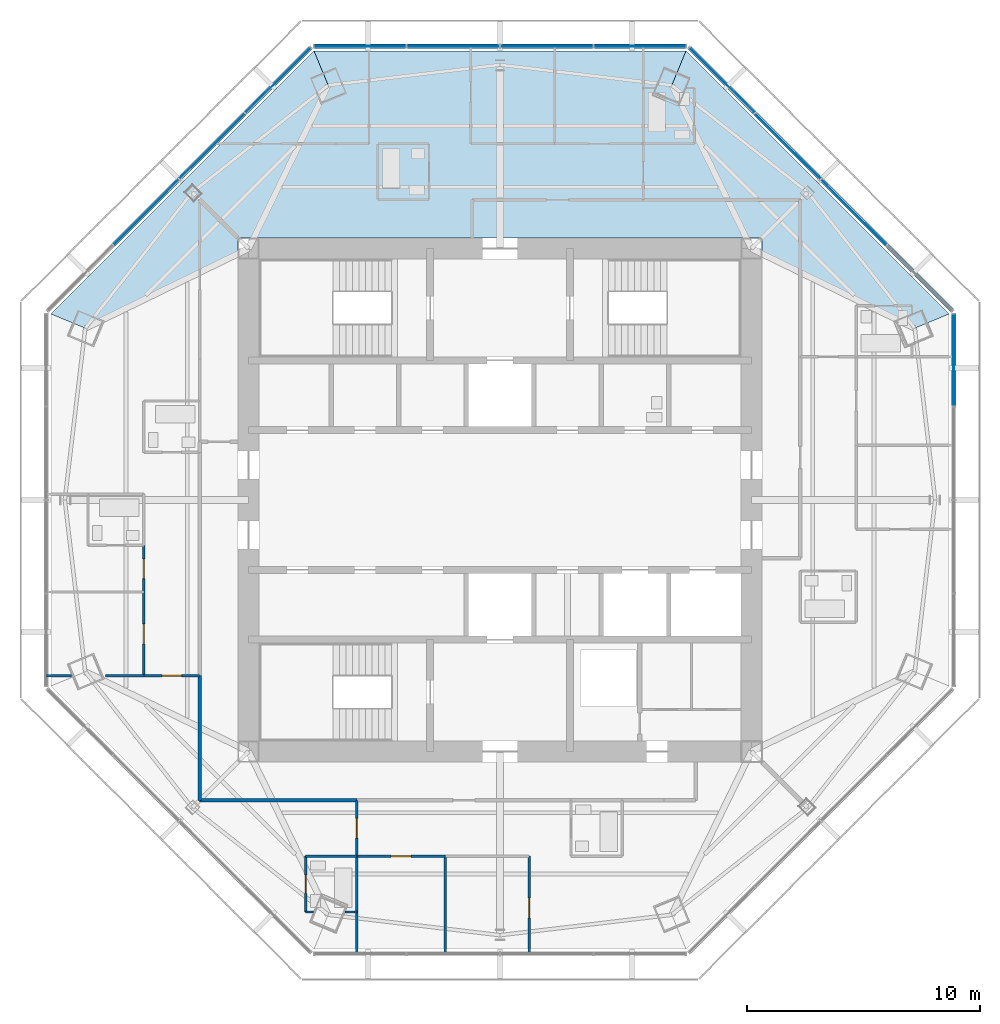
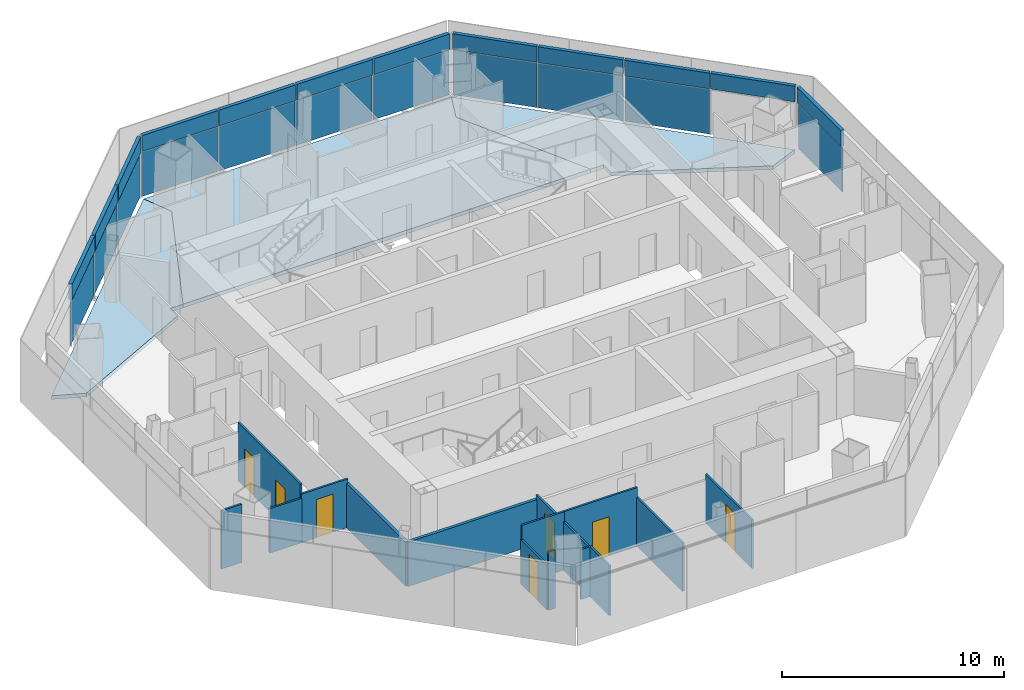
# One storey, part 8 of 15: 23 plates, 16 walls, 7 doors, 3 slabs, 7 openings, 4 elements without a shape of their own.
"""IFC4 building model written with IfcOpenShell, lengths in metres."""

from ifc_helpers import new_model, si_unit, direction, frame, frame_2d, origin, origin_2d, place, context, subcontext, project, spatial, polyline, rectangle, outline, extrude, source, transform, mapped, material, layer, layer_set, type_object, type_shapes, element, fill, aggregate, save


model = new_model("IFC4")

# Units and contexts
model_context = context("Model", 3, precision=1e-05, world=origin(), true_north=direction((0.0, 1.0)))
body_context = subcontext(model_context, "Body", "Model", "MODEL_VIEW")
ifc_project = project(units=[si_unit("LENGTHUNIT", "METRE"), si_unit("AREAUNIT", "SQUARE_METRE"), si_unit("VOLUMEUNIT", "CUBIC_METRE"), si_unit("PLANEANGLEUNIT", "RADIAN"), si_unit("MASSUNIT", "GRAM", prefix="KILO")], contexts=[model_context])

# Site, building, storey
site_placement = place(None, origin())
site = spatial("IfcSite", under=ifc_project, at=site_placement, CompositionType="ELEMENT")
building_placement = place(site_placement, origin())
building = spatial("IfcBuilding", under=site, at=building_placement, Name="Mashrafa Tower", CompositionType="ELEMENT")
storey_placement = place(building_placement, frame((0.0, 0.0, 301.39990234375)))
storey = spatial("IfcBuildingStorey", under=building, at=storey_placement, Name="L74", CompositionType="ELEMENT", Elevation=301.39990234375)

# Slabs
ifc_material_1 = material(Name="Concrete C35/45", Category="concrete")
ifc_layer_1 = layer(ifc_material_1, 0.199951171875)
ifc_layer_set_1 = layer_set([ifc_layer_1], Name="Floor slab 200")
slab_type = type_object("IfcSlabType", Name="Floor slab 200", PredefinedType="FLOOR", material=ifc_layer_set_1)
slab_1_placement = place(storey_placement, frame((0.0, 0.0, -0.199951171875)))
element("IfcSlab", 1, at=slab_1_placement, inside=storey, type_object=slab_type, Name="Floor slab L74 north-east bay", PredefinedType="FLOOR", context=body_context, shape_type="SweptSolid", body=[
    extrude(outline(polyline([(7.989501953125, 19.28857421875), (19.28857421875, 7.989501953125), (19.28857421875, 7.989501953125), (17.81591796875, 7.379638671875), (11.25, 10.58056640625), (11.25, 11.25), (10.58056640625, 11.25), (7.379638671875, 17.81591796875), (7.989501953125, 19.28857421875), (7.989501953125, 19.28857421875)])), origin(), (0.0, 0.0, 1.0), 0.199951171875),
])
slab_2_placement = place(storey_placement, frame((0.0, 0.0, -0.199951171875)))
element("IfcSlab", 2, at=slab_2_placement, inside=storey, type_object=slab_type, Name="Floor slab L74 north bay", PredefinedType="FLOOR", context=body_context, shape_type="SweptSolid", body=[
    extrude(outline(polyline([(7.989501953125, 19.28857421875), (7.379638671875, 17.81591796875), (10.58056640625, 11.25), (-10.58056640625, 11.25), (-7.379638671875, 17.81591796875), (-7.989501953125, 19.28857421875), (7.989501953125, 19.28857421875)])), origin(), (0.0, 0.0, 1.0), 0.199951171875),
])
slab_3_placement = place(storey_placement, frame((0.0, 0.0, -0.199951171875)))
element("IfcSlab", 3, at=slab_3_placement, inside=storey, type_object=slab_type, Name="Floor slab L74 north-west bay", PredefinedType="FLOOR", context=body_context, shape_type="SweptSolid", body=[
    extrude(outline(polyline([(-19.28857421875, 7.989501953125), (-7.989501953125, 19.28857421875), (-7.989501953125, 19.28857421875), (-7.379638671875, 17.81591796875), (-10.58056640625, 11.25), (-11.25, 11.25), (-11.25, 10.58056640625), (-17.81591796875, 7.379638671875), (-19.28857421875, 7.989501953125), (-19.28857421875, 7.989501953125)])), origin(), (0.0, 0.0, 1.0), 0.199951171875),
])

# Curtain wall, plate
ifc_material_2 = material(Name="Unitised aluminium curtain wall", Category="aluminium")
curtain_wall_type = type_object("IfcCurtainWallType", Name="Apartment curtain wall, zone 4 CW-D 160 deep", PredefinedType="NOTDEFINED", material=ifc_material_2)
curtain_wall_1_placement = place(storey_placement, origin())
curtain_wall_1 = element("IfcCurtainWall", 4, at=curtain_wall_1_placement, inside=storey, type_object=curtain_wall_type, Name="Apartment curtain wall, zone 4 L74 east", PredefinedType="NOTDEFINED")
ifc_material_3 = material(Name="Insulated double glazing, acoustic", Category="glass")
ifc_layer_2 = layer(ifc_material_3, 0.028076171875)
ifc_layer_set_2 = layer_set([ifc_layer_2], Name="Vision panel CW-D 28")
plate_type_1 = type_object("IfcPlateType", Name="Vision panel CW-D 28", PredefinedType="CURTAIN_PANEL", material=ifc_layer_set_2)
shared_shape_1 = source(origin(), body_context, "Body", "SweptSolid", [
    extrude(rectangle(XDim=3.924560546875, YDim=0.028076171875, at=origin_2d()), origin(), (0.0, 0.0, 1.0), 2.46240234375),
])
plate_1_placement = place(storey_placement, frame((19.488525390625, 6.007080078125, 0.000244140625), z_axis=(0.0, 0.0, 1.0), x_axis=(0.0, 1.0, 0.0)))
plate_1 = element("IfcPlate", 5, at=plate_1_placement, type_object=plate_type_1, Name="CW-D vision panel 4", PredefinedType="CURTAIN_PANEL", context=body_context, shape_type="MappedRepresentation", body=[
    mapped(shared_shape_1, transform((0.0, 0.0, 0.0))),
])

curtain_wall_2_placement = place(storey_placement, origin())
curtain_wall_2 = element("IfcCurtainWall", 6, at=curtain_wall_2_placement, inside=storey, type_object=curtain_wall_type, Name="Apartment curtain wall, zone 4 L74 north-east", PredefinedType="NOTDEFINED")
plate_2_placement = place(storey_placement, frame((9.532958984375, 18.028076171875, 0.000244140625), z_axis=(0.0, 0.0, 1.0), x_axis=(-0.707106781187, 0.707106781187, 0.0)))
plate_2 = element("IfcPlate", 7, at=plate_2_placement, type_object=plate_type_1, Name="CW-D vision panel 4", PredefinedType="CURTAIN_PANEL", context=body_context, shape_type="MappedRepresentation", body=[
    mapped(shared_shape_1, transform((0.0, 0.0, 0.0))),
])

# Curtain wall, plates
curtain_wall_3_placement = place(storey_placement, origin())
curtain_wall_3 = element("IfcCurtainWall", 8, at=curtain_wall_3_placement, inside=storey, type_object=curtain_wall_type, Name="Apartment curtain wall, zone 4 L74 north", PredefinedType="NOTDEFINED")
plate_3_placement = place(storey_placement, frame((6.007080078125, 19.488525390625, 0.000244140625), z_axis=(0.0, 0.0, 1.0), x_axis=(-1.0, 0.0, 0.0)))
plate_3 = element("IfcPlate", 9, at=plate_3_placement, type_object=plate_type_1, Name="CW-D vision panel 1", PredefinedType="CURTAIN_PANEL", context=body_context, shape_type="MappedRepresentation", body=[
    mapped(shared_shape_1, transform((0.0, 0.0, 0.0))),
])
plate_4_placement = place(storey_placement, frame((-6.007080078125, 19.488525390625, 0.000244140625), z_axis=(0.0, 0.0, 1.0), x_axis=(-1.0, 0.0, 0.0)))
plate_4 = element("IfcPlate", 10, at=plate_4_placement, type_object=plate_type_1, Name="CW-D vision panel 4", PredefinedType="CURTAIN_PANEL", context=body_context, shape_type="MappedRepresentation", body=[
    mapped(shared_shape_1, transform((0.0, 0.0, 0.0))),
])

# Curtain wall, plate
curtain_wall_4_placement = place(storey_placement, origin())
curtain_wall_4 = element("IfcCurtainWall", 11, at=curtain_wall_4_placement, inside=storey, type_object=curtain_wall_type, Name="Apartment curtain wall, zone 4 L74 north-west", PredefinedType="NOTDEFINED")
plate_5_placement = place(storey_placement, frame((-9.532958984375, 18.028076171875, 0.000244140625), z_axis=(0.0, 0.0, 1.0), x_axis=(-0.707106781187, -0.707106781187, 0.0)))
plate_5 = element("IfcPlate", 12, at=plate_5_placement, type_object=plate_type_1, Name="CW-D vision panel 1", PredefinedType="CURTAIN_PANEL", context=body_context, shape_type="MappedRepresentation", body=[
    mapped(shared_shape_1, transform((0.0, 0.0, 0.0))),
])

# Plate
ifc_material_4 = material(Name="Insulated bronze aluminium spandrel panel", Category="aluminium")
ifc_layer_3 = layer(ifc_material_4, 0.179931640625)
ifc_layer_set_3 = layer_set([ifc_layer_3], Name="Spandrel panel CW-D 180")
plate_type_2 = type_object("IfcPlateType", Name="Spandrel panel CW-D 180", PredefinedType="CURTAIN_PANEL", material=ifc_layer_set_3)
shared_shape_2 = source(origin(), body_context, "Body", "SweptSolid", [
    extrude(rectangle(XDim=3.924560546875, YDim=0.179931640625, at=origin_2d()), origin(), (0.0, 0.0, 1.0), 0.862548828125),
])
plate_6_placement = place(storey_placement, frame((19.488525390625, 6.007080078125, 2.53759765625), z_axis=(0.0, 0.0, 1.0), x_axis=(0.0, 1.0, 0.0)))
plate_6 = element("IfcPlate", 13, at=plate_6_placement, type_object=plate_type_2, Name="CW-D spandrel panel 4", PredefinedType="CURTAIN_PANEL", context=body_context, shape_type="MappedRepresentation", body=[
    mapped(shared_shape_2, transform((0.0, 0.0, 0.0))),
])

aggregate(curtain_wall_1, [plate_1, plate_6])

plate_7_placement = place(storey_placement, frame((18.028076171875, 9.532958984375, 2.53759765625), z_axis=(0.0, 0.0, 1.0), x_axis=(-0.707106781187, 0.707106781187, 0.0)))
plate_7 = element("IfcPlate", 14, at=plate_7_placement, type_object=plate_type_2, Name="CW-D spandrel panel 1", PredefinedType="CURTAIN_PANEL", context=body_context, shape_type="MappedRepresentation", body=[
    mapped(shared_shape_2, transform((0.0, 0.0, 0.0))),
])

plate_8_placement = place(storey_placement, frame((9.532958984375, 18.028076171875, 2.53759765625), z_axis=(0.0, 0.0, 1.0), x_axis=(-0.707106781187, 0.707106781187, 0.0)))
plate_8 = element("IfcPlate", 15, at=plate_8_placement, type_object=plate_type_2, Name="CW-D spandrel panel 4", PredefinedType="CURTAIN_PANEL", context=body_context, shape_type="MappedRepresentation", body=[
    mapped(shared_shape_2, transform((0.0, 0.0, 0.0))),
])

plate_9_placement = place(storey_placement, frame((6.007080078125, 19.488525390625, 2.53759765625), z_axis=(0.0, 0.0, 1.0), x_axis=(-1.0, 0.0, 0.0)))
plate_9 = element("IfcPlate", 16, at=plate_9_placement, type_object=plate_type_2, Name="CW-D spandrel panel 1", PredefinedType="CURTAIN_PANEL", context=body_context, shape_type="MappedRepresentation", body=[
    mapped(shared_shape_2, transform((0.0, 0.0, 0.0))),
])

plate_10_placement = place(storey_placement, frame((-6.007080078125, 19.488525390625, 2.53759765625), z_axis=(0.0, 0.0, 1.0), x_axis=(-1.0, 0.0, 0.0)))
plate_10 = element("IfcPlate", 17, at=plate_10_placement, type_object=plate_type_2, Name="CW-D spandrel panel 4", PredefinedType="CURTAIN_PANEL", context=body_context, shape_type="MappedRepresentation", body=[
    mapped(shared_shape_2, transform((0.0, 0.0, 0.0))),
])

plate_11_placement = place(storey_placement, frame((-9.532958984375, 18.028076171875, 2.53759765625), z_axis=(0.0, 0.0, 1.0), x_axis=(-0.707106781187, -0.707106781187, 0.0)))
plate_11 = element("IfcPlate", 18, at=plate_11_placement, type_object=plate_type_2, Name="CW-D spandrel panel 1", PredefinedType="CURTAIN_PANEL", context=body_context, shape_type="MappedRepresentation", body=[
    mapped(shared_shape_2, transform((0.0, 0.0, 0.0))),
])

shared_shape_3 = source(origin(), body_context, "Body", "SweptSolid", [
    extrude(rectangle(XDim=3.95458984375, YDim=0.028076171875, at=origin_2d()), origin(), (0.0, 0.0, 1.0), 2.46240234375),
])
type_shapes(plate_type_1, [shared_shape_1, shared_shape_3])
plate_12_placement = place(storey_placement, frame((15.199951171875, 12.361083984375, 0.000244140625), z_axis=(0.0, 0.0, 1.0), x_axis=(-0.707106781187, 0.707106781187, 0.0)))
plate_12 = element("IfcPlate", 19, at=plate_12_placement, type_object=plate_type_1, Name="CW-D vision panel 2", PredefinedType="CURTAIN_PANEL", context=body_context, shape_type="MappedRepresentation", body=[
    mapped(shared_shape_3, transform((0.0, 0.0, 0.0))),
])

plate_13_placement = place(storey_placement, frame((12.361083984375, 15.199951171875, 0.000244140625), z_axis=(0.0, 0.0, 1.0), x_axis=(-0.707106781187, 0.707106781187, 0.0)))
plate_13 = element("IfcPlate", 20, at=plate_13_placement, type_object=plate_type_1, Name="CW-D vision panel 3", PredefinedType="CURTAIN_PANEL", context=body_context, shape_type="MappedRepresentation", body=[
    mapped(shared_shape_3, transform((0.0, 0.0, 0.0))),
])

plate_14_placement = place(storey_placement, frame((2.00732421875, 19.488525390625, 0.000244140625), z_axis=(0.0, 0.0, 1.0), x_axis=(-1.0, 0.0, 0.0)))
plate_14 = element("IfcPlate", 21, at=plate_14_placement, type_object=plate_type_1, Name="CW-D vision panel 2", PredefinedType="CURTAIN_PANEL", context=body_context, shape_type="MappedRepresentation", body=[
    mapped(shared_shape_3, transform((0.0, 0.0, 0.0))),
])

plate_15_placement = place(storey_placement, frame((-2.00732421875, 19.488525390625, 0.000244140625), z_axis=(0.0, 0.0, 1.0), x_axis=(-1.0, 0.0, 0.0)))
plate_15 = element("IfcPlate", 22, at=plate_15_placement, type_object=plate_type_1, Name="CW-D vision panel 3", PredefinedType="CURTAIN_PANEL", context=body_context, shape_type="MappedRepresentation", body=[
    mapped(shared_shape_3, transform((0.0, 0.0, 0.0))),
])

plate_16_placement = place(storey_placement, frame((-12.361083984375, 15.199951171875, 0.000244140625), z_axis=(0.0, 0.0, 1.0), x_axis=(-0.707106781187, -0.707106781187, 0.0)))
plate_16 = element("IfcPlate", 23, at=plate_16_placement, type_object=plate_type_1, Name="CW-D vision panel 2", PredefinedType="CURTAIN_PANEL", context=body_context, shape_type="MappedRepresentation", body=[
    mapped(shared_shape_3, transform((0.0, 0.0, 0.0))),
])

plate_17_placement = place(storey_placement, frame((-15.199951171875, 12.361083984375, 0.000244140625), z_axis=(0.0, 0.0, 1.0), x_axis=(-0.707106781187, -0.707106781187, 0.0)))
plate_17 = element("IfcPlate", 24, at=plate_17_placement, type_object=plate_type_1, Name="CW-D vision panel 3", PredefinedType="CURTAIN_PANEL", context=body_context, shape_type="MappedRepresentation", body=[
    mapped(shared_shape_3, transform((0.0, 0.0, 0.0))),
])

shared_shape_4 = source(origin(), body_context, "Body", "SweptSolid", [
    extrude(rectangle(XDim=3.95458984375, YDim=0.179931640625, at=origin_2d()), origin(), (0.0, 0.0, 1.0), 0.862548828125),
])
type_shapes(plate_type_2, [shared_shape_2, shared_shape_4])
plate_18_placement = place(storey_placement, frame((15.199951171875, 12.361083984375, 2.53759765625), z_axis=(0.0, 0.0, 1.0), x_axis=(-0.707106781187, 0.707106781187, 0.0)))
plate_18 = element("IfcPlate", 25, at=plate_18_placement, type_object=plate_type_2, Name="CW-D spandrel panel 2", PredefinedType="CURTAIN_PANEL", context=body_context, shape_type="MappedRepresentation", body=[
    mapped(shared_shape_4, transform((0.0, 0.0, 0.0))),
])

plate_19_placement = place(storey_placement, frame((12.361083984375, 15.199951171875, 2.53759765625), z_axis=(0.0, 0.0, 1.0), x_axis=(-0.707106781187, 0.707106781187, 0.0)))
plate_19 = element("IfcPlate", 26, at=plate_19_placement, type_object=plate_type_2, Name="CW-D spandrel panel 3", PredefinedType="CURTAIN_PANEL", context=body_context, shape_type="MappedRepresentation", body=[
    mapped(shared_shape_4, transform((0.0, 0.0, 0.0))),
])

aggregate(curtain_wall_2, [plate_7, plate_12, plate_18, plate_13, plate_19, plate_2, plate_8])

plate_20_placement = place(storey_placement, frame((2.00732421875, 19.488525390625, 2.53759765625), z_axis=(0.0, 0.0, 1.0), x_axis=(-1.0, 0.0, 0.0)))
plate_20 = element("IfcPlate", 27, at=plate_20_placement, type_object=plate_type_2, Name="CW-D spandrel panel 2", PredefinedType="CURTAIN_PANEL", context=body_context, shape_type="MappedRepresentation", body=[
    mapped(shared_shape_4, transform((0.0, 0.0, 0.0))),
])

plate_21_placement = place(storey_placement, frame((-2.00732421875, 19.488525390625, 2.53759765625), z_axis=(0.0, 0.0, 1.0), x_axis=(-1.0, 0.0, 0.0)))
plate_21 = element("IfcPlate", 28, at=plate_21_placement, type_object=plate_type_2, Name="CW-D spandrel panel 3", PredefinedType="CURTAIN_PANEL", context=body_context, shape_type="MappedRepresentation", body=[
    mapped(shared_shape_4, transform((0.0, 0.0, 0.0))),
])

aggregate(curtain_wall_3, [plate_3, plate_9, plate_14, plate_20, plate_15, plate_21, plate_4, plate_10])

plate_22_placement = place(storey_placement, frame((-12.361083984375, 15.199951171875, 2.53759765625), z_axis=(0.0, 0.0, 1.0), x_axis=(-0.707106781187, -0.707106781187, 0.0)))
plate_22 = element("IfcPlate", 29, at=plate_22_placement, type_object=plate_type_2, Name="CW-D spandrel panel 2", PredefinedType="CURTAIN_PANEL", context=body_context, shape_type="MappedRepresentation", body=[
    mapped(shared_shape_4, transform((0.0, 0.0, 0.0))),
])

plate_23_placement = place(storey_placement, frame((-15.199951171875, 12.361083984375, 2.53759765625), z_axis=(0.0, 0.0, 1.0), x_axis=(-0.707106781187, -0.707106781187, 0.0)))
plate_23 = element("IfcPlate", 30, at=plate_23_placement, type_object=plate_type_2, Name="CW-D spandrel panel 3", PredefinedType="CURTAIN_PANEL", context=body_context, shape_type="MappedRepresentation", body=[
    mapped(shared_shape_4, transform((0.0, 0.0, 0.0))),
])

aggregate(curtain_wall_4, [plate_5, plate_11, plate_16, plate_22, plate_17, plate_23])

# Walls
ifc_material_5 = material(Name="Gypsum board on steel studs", Category="steel")
ifc_layer_4 = layer(ifc_material_5, 0.14990234375)
ifc_layer_set_4 = layer_set([ifc_layer_4], Name="Corridor partition 150 1 hr")
wall_type_1 = type_object("IfcWallType", Name="Corridor partition 150 1 hr", PredefinedType="PARTITIONING", material=ifc_layer_set_4)
wall_1_placement = place(storey_placement, frame((-12.89990234375, -7.549072265625, 0.0), z_axis=(0.0, 0.0, 1.0), x_axis=(0.0, -1.0, 0.0)))
element("IfcWall", 31, at=wall_1_placement, inside=storey, type_object=wall_type_1, Name="Corridor wall L74-008", PredefinedType="PARTITIONING", context=body_context, shape_type="SweptSolid", body=[
    extrude(rectangle(XDim=5.350830078125, YDim=0.14990234375, at=frame_2d((2.67529296875, 0.0))), origin(), (0.0, 0.0, 1.0), 2.435791015625),
])
wall_2_placement = place(storey_placement, frame((-12.89990234375, -12.89990234375, 0.0), z_axis=(0.0, 0.0, 1.0), x_axis=(1.0, 0.0, 0.0)))
element("IfcWall", 32, at=wall_2_placement, inside=storey, type_object=wall_type_1, Name="Corridor wall L74-012", PredefinedType="PARTITIONING", context=body_context, shape_type="SweptSolid", body=[
    extrude(rectangle(XDim=6.7509765625, YDim=0.14990234375, at=frame_2d((3.37548828125, 0.0))), origin(), (0.0, 0.0, 1.0), 2.435791015625),
])

# Wall, openings, doors
ifc_material_6 = material(Name="Gypsum board on steel studs", Category="steel")
ifc_layer_5 = layer(ifc_material_6, 0.10009765625)
ifc_layer_set_5 = layer_set([ifc_layer_5], Name="Partition 100")
wall_type_2 = type_object("IfcWallType", Name="Partition 100", PredefinedType="PARTITIONING", material=ifc_layer_set_5)
wall_3_placement = place(storey_placement, frame((-15.300048828125, -1.949951171875, 0.0), z_axis=(0.0, 0.0, 1.0), x_axis=(0.0, -1.0, 0.0)))
wall_3 = element("IfcWall", 33, at=wall_3_placement, inside=storey, type_object=wall_type_2, Name="Partition wall L74-063", PredefinedType="PARTITIONING", context=body_context, shape_type="SweptSolid", body=[
    extrude(rectangle(XDim=5.60009765625, YDim=0.10009765625, at=frame_2d((2.800048828125, 0.0))), origin(), (0.0, 0.0, 1.0), 3.2001953125),
])
opening_1_placement = place(wall_3_placement, frame((0.574951171875, 0.0, 0.0)))
opening_1 = element("IfcOpeningElement", 34, at=opening_1_placement, cuts=wall_3, Name="Opening 74.016", PredefinedType="OPENING", context=body_context, shape_type="SweptSolid", body=[
    extrude(rectangle(XDim=0.85009765625, YDim=2.10009765625, at=frame_2d((0.425048828125, 1.050048828125))), frame((0.0, 0.06005859375, 0.0), z_axis=(0.0, -1.0, 0.0), x_axis=(1.0, 0.0, 0.0)), (0.0, 0.0, 1.0), 0.1201171875),
])
opening_2_placement = place(wall_3_placement, frame((3.375, 0.0, 0.0)))
opening_2 = element("IfcOpeningElement", 35, at=opening_2_placement, cuts=wall_3, Name="Opening 74.017", PredefinedType="OPENING", context=body_context, shape_type="SweptSolid", body=[
    extrude(rectangle(XDim=0.85009765625, YDim=2.10009765625, at=frame_2d((0.425048828125, 1.050048828125))), frame((0.0, 0.06005859375, 0.0), z_axis=(0.0, -1.0, 0.0), x_axis=(1.0, 0.0, 0.0)), (0.0, 0.0, 1.0), 0.1201171875),
])
ifc_material_7 = material(Name="Timber door", Category="wood")
door_type_1 = type_object("IfcDoorType", Name="Bedroom door 850 x 2100", OperationType="USERDEFINED", PredefinedType="DOOR", material=ifc_material_7)
door_1_placement = place(opening_1_placement, frame((0.85009765625, 0.0, 0.0), z_axis=(0.0, 0.0, 1.0), x_axis=(-1.0, 0.0, 0.0)))
door_1 = element("IfcDoor", 36, at=door_1_placement, inside=storey, type_object=door_type_1, Name="Apartment 7403 Bedroom 1 door", OperationType="SINGLE_SWING_LEFT", OverallHeight=2.10009765625, OverallWidth=0.85009765625, PredefinedType="DOOR", context=body_context, shape_type="SweptSolid", body=[
    extrude(rectangle(XDim=0.85009765625, YDim=2.10009765625, at=frame_2d((0.425048828125, 1.050048828125))), frame((0.0, 0.02490234375, 0.0), z_axis=(0.0, -1.0, 0.0), x_axis=(1.0, 0.0, 0.0)), (0.0, 0.0, 1.0), 0.050048828125),
])
fill(opening_1, door_1)
door_2_placement = place(opening_2_placement, frame((0.85009765625, 0.0, 0.0), z_axis=(0.0, 0.0, 1.0), x_axis=(-1.0, 0.0, 0.0)))
door_2 = element("IfcDoor", 37, at=door_2_placement, inside=storey, type_object=door_type_1, Name="Apartment 7403 Bedroom 2 door", OperationType="SINGLE_SWING_RIGHT", OverallHeight=2.10009765625, OverallWidth=0.85009765625, PredefinedType="DOOR", context=body_context, shape_type="SweptSolid", body=[
    extrude(rectangle(XDim=0.85009765625, YDim=2.10009765625, at=frame_2d((0.425048828125, 1.050048828125))), frame((0.0, 0.02490234375, 0.0), z_axis=(0.0, -1.0, 0.0), x_axis=(1.0, 0.0, 0.0)), (0.0, 0.0, 1.0), 0.050048828125),
])
fill(opening_2, door_2)

# Walls
wall_4_placement = place(storey_placement, frame((-19.470458984375, -7.550048828125, 0.0), z_axis=(0.0, 0.0, 1.0), x_axis=(1.0, 0.0, 0.0)))
element("IfcWall", 38, at=wall_4_placement, inside=storey, type_object=wall_type_2, Name="Partition wall L74-064", PredefinedType="PARTITIONING", context=body_context, shape_type="SweptSolid", body=[
    extrude(rectangle(XDim=1.061279296875, YDim=0.10009765625, at=frame_2d((0.53076171875, 0.0))), origin(), (0.0, 0.0, 1.0), 3.2001953125),
])
wall_5_placement = place(storey_placement, frame((-16.955810546875, -7.550048828125, 0.0), z_axis=(0.0, 0.0, 1.0), x_axis=(1.0, 0.0, 0.0)))
element("IfcWall", 39, at=wall_5_placement, inside=storey, type_object=wall_type_2, Name="Partition wall L74-065", PredefinedType="PARTITIONING", context=body_context, shape_type="SweptSolid", body=[
    extrude(rectangle(XDim=1.65576171875, YDim=0.10009765625, at=frame_2d((0.827880859375, 0.0))), origin(), (0.0, 0.0, 1.0), 2.435791015625),
])

# Wall, opening, door
wall_6_placement = place(storey_placement, frame((-12.89990234375, -7.550048828125, 0.0), z_axis=(0.0, 0.0, 1.0), x_axis=(-1.0, 0.0, 0.0)))
wall_6 = element("IfcWall", 40, at=wall_6_placement, inside=storey, type_object=wall_type_2, Name="Partition wall L74-067", PredefinedType="PARTITIONING", context=body_context, shape_type="SweptSolid", body=[
    extrude(rectangle(XDim=2.401123046875, YDim=0.10009765625, at=frame_2d((1.20068359375, 0.0))), origin(), (0.0, 0.0, 1.0), 2.661865234375),
])
opening_3_placement = place(wall_6_placement, frame((0.775390625, 0.0, 0.0)))
opening_3 = element("IfcOpeningElement", 41, at=opening_3_placement, cuts=wall_6, Name="Opening 74.018", PredefinedType="OPENING", context=body_context, shape_type="SweptSolid", body=[
    extrude(rectangle(XDim=0.85009765625, YDim=2.10009765625, at=frame_2d((0.425048828125, 1.050048828125))), frame((0.0, 0.06005859375, 0.0), z_axis=(0.0, -1.0, 0.0), x_axis=(1.0, 0.0, 0.0)), (0.0, 0.0, 1.0), 0.1201171875),
])
door_3_placement = place(opening_3_placement, origin())
door_3 = element("IfcDoor", 42, at=door_3_placement, inside=storey, type_object=door_type_1, Name="Apartment 7403 Bedroom 3 door", OperationType="SINGLE_SWING_LEFT", OverallHeight=2.10009765625, OverallWidth=0.85009765625, PredefinedType="DOOR", context=body_context, shape_type="SweptSolid", body=[
    extrude(rectangle(XDim=0.85009765625, YDim=2.10009765625, at=frame_2d((0.425048828125, 1.050048828125))), frame((0.0, 0.02490234375, 0.0), z_axis=(0.0, -1.0, 0.0), x_axis=(1.0, 0.0, 0.0)), (0.0, 0.0, 1.0), 0.050048828125),
])
fill(opening_3, door_3)

# Wall
wall_7_placement = place(storey_placement, frame((-2.35009765625, -15.300048828125, 0.0), z_axis=(0.0, 0.0, 1.0), x_axis=(0.0, -1.0, 0.0)))
element("IfcWall", 43, at=wall_7_placement, inside=storey, type_object=wall_type_2, Name="Partition wall L74-072", PredefinedType="PARTITIONING", context=body_context, shape_type="SweptSolid", body=[
    extrude(rectangle(XDim=4.17041015625, YDim=0.10009765625, at=frame_2d((2.085205078125, 0.0))), origin(), (0.0, 0.0, 1.0), 2.661865234375),
])

# Wall, opening, door
wall_8_placement = place(storey_placement, frame((1.25, -19.472412109375, 0.0), z_axis=(0.0, 0.0, 1.0), x_axis=(0.0, 1.0, 0.0)))
wall_8 = element("IfcWall", 44, at=wall_8_placement, inside=storey, type_object=wall_type_2, Name="Partition wall L74-073", PredefinedType="PARTITIONING", context=body_context, shape_type="SweptSolid", body=[
    extrude(rectangle(XDim=4.17236328125, YDim=0.10009765625, at=frame_2d((2.086181640625, 0.0))), origin(), (0.0, 0.0, 1.0), 2.661865234375),
])
opening_4_placement = place(wall_8_placement, frame((1.523193359375, 0.0, 0.0)))
opening_4 = element("IfcOpeningElement", 45, at=opening_4_placement, cuts=wall_8, Name="Opening 74.021", PredefinedType="OPENING", context=body_context, shape_type="SweptSolid", body=[
    extrude(rectangle(XDim=0.85009765625, YDim=2.10009765625, at=frame_2d((0.425048828125, 1.050048828125))), frame((0.0, 0.06005859375, 0.0), z_axis=(0.0, -1.0, 0.0), x_axis=(1.0, 0.0, 0.0)), (0.0, 0.0, 1.0), 0.1201171875),
])
door_4_placement = place(opening_4_placement, origin())
door_4 = element("IfcDoor", 46, at=door_4_placement, inside=storey, type_object=door_type_1, Name="Apartment 7404 Majlis door", OperationType="SINGLE_SWING_LEFT", OverallHeight=2.10009765625, OverallWidth=0.85009765625, PredefinedType="DOOR", context=body_context, shape_type="SweptSolid", body=[
    extrude(rectangle(XDim=0.85009765625, YDim=2.10009765625, at=frame_2d((0.425048828125, 1.050048828125))), frame((0.0, 0.02490234375, 0.0), z_axis=(0.0, -1.0, 0.0), x_axis=(1.0, 0.0, 0.0)), (0.0, 0.0, 1.0), 0.050048828125),
])
fill(opening_4, door_4)

# Walls
wall_9_placement = place(storey_placement, frame((-6.14990234375, -15.300048828125, 0.0), z_axis=(0.0, 0.0, 1.0), x_axis=(0.0, -1.0, 0.0)))
element("IfcWall", 47, at=wall_9_placement, inside=storey, type_object=wall_type_2, Name="Partition wall L74-075", PredefinedType="PARTITIONING", context=body_context, shape_type="SweptSolid", body=[
    extrude(rectangle(XDim=2.40087890625, YDim=0.10009765625, at=frame_2d((1.200439453125, 0.0))), origin(), (0.0, 0.0, 1.0), 2.661865234375),
])
wall_10_placement = place(storey_placement, frame((-6.14990234375, -17.698974609375, 0.0), z_axis=(0.0, 0.0, 1.0), x_axis=(0.0, -1.0, 0.0)))
element("IfcWall", 48, at=wall_10_placement, inside=storey, type_object=wall_type_2, Name="Partition wall L74-076", PredefinedType="PARTITIONING", context=body_context, shape_type="SweptSolid", body=[
    extrude(rectangle(XDim=1.771484375, YDim=0.10009765625, at=frame_2d((0.8857421875, 0.0))), origin(), (0.0, 0.0, 1.0), 2.740478515625),
])

# Wall, opening, door
wall_11_placement = place(storey_placement, frame((-2.35009765625, -15.300048828125, 0.0), z_axis=(0.0, 0.0, 1.0), x_axis=(-1.0, 0.0, 0.0)))
wall_11 = element("IfcWall", 49, at=wall_11_placement, inside=storey, type_object=wall_type_2, Name="Partition wall L74-077", PredefinedType="PARTITIONING", context=body_context, shape_type="SweptSolid", body=[
    extrude(rectangle(XDim=3.7998046875, YDim=0.10009765625, at=frame_2d((1.89990234375, 0.0))), origin(), (0.0, 0.0, 1.0), 3.2001953125),
])
opening_5_placement = place(wall_11_placement, frame((1.47509765625, 0.0, 0.0)))
opening_5 = element("IfcOpeningElement", 50, at=opening_5_placement, cuts=wall_11, Name="Opening 74.022", PredefinedType="OPENING", context=body_context, shape_type="SweptSolid", body=[
    extrude(rectangle(XDim=0.85009765625, YDim=2.10009765625, at=frame_2d((0.425048828125, 1.050048828125))), frame((0.0, 0.06005859375, 0.0), z_axis=(0.0, -1.0, 0.0), x_axis=(1.0, 0.0, 0.0)), (0.0, 0.0, 1.0), 0.1201171875),
])
door_5_placement = place(opening_5_placement, origin())
door_5 = element("IfcDoor", 51, at=door_5_placement, inside=storey, type_object=door_type_1, Name="Apartment 7404 Bedroom 1 door", OperationType="SINGLE_SWING_LEFT", OverallHeight=2.10009765625, OverallWidth=0.85009765625, PredefinedType="DOOR", context=body_context, shape_type="SweptSolid", body=[
    extrude(rectangle(XDim=0.85009765625, YDim=2.10009765625, at=frame_2d((0.425048828125, 1.050048828125))), frame((0.0, 0.02490234375, 0.0), z_axis=(0.0, -1.0, 0.0), x_axis=(1.0, 0.0, 0.0)), (0.0, 0.0, 1.0), 0.050048828125),
])
fill(opening_5, door_5)

# Wall
wall_12_placement = place(storey_placement, frame((-6.14990234375, -15.300048828125, 0.0), z_axis=(0.0, 0.0, 1.0), x_axis=(-1.0, 0.0, 0.0)))
element("IfcWall", 52, at=wall_12_placement, inside=storey, type_object=wall_type_2, Name="Partition wall L74-078", PredefinedType="PARTITIONING", context=body_context, shape_type="SweptSolid", body=[
    extrude(rectangle(XDim=2.2001953125, YDim=0.10009765625, at=frame_2d((1.10009765625, 0.0))), origin(), (0.0, 0.0, 1.0), 3.2001953125),
])

# Wall, opening, door
wall_13_placement = place(storey_placement, frame((-8.35009765625, -15.300048828125, 0.0), z_axis=(0.0, 0.0, 1.0), x_axis=(0.0, -1.0, 0.0)))
wall_13 = element("IfcWall", 53, at=wall_13_placement, inside=storey, type_object=wall_type_2, Name="Partition wall L74-079", PredefinedType="PARTITIONING", context=body_context, shape_type="SweptSolid", body=[
    extrude(rectangle(XDim=2.39990234375, YDim=0.10009765625, at=frame_2d((1.199951171875, 0.0))), origin(), (0.0, 0.0, 1.0), 2.435791015625),
])
opening_6_placement = place(wall_13_placement, frame((0.800048828125, 0.0, 0.0)))
opening_6 = element("IfcOpeningElement", 54, at=opening_6_placement, cuts=wall_13, Name="Opening 74.023", PredefinedType="OPENING", context=body_context, shape_type="SweptSolid", body=[
    extrude(rectangle(XDim=0.800048828125, YDim=2.10009765625, at=frame_2d((0.39990234375, 1.050048828125))), frame((0.0, 0.06005859375, 0.0), z_axis=(0.0, -1.0, 0.0), x_axis=(1.0, 0.0, 0.0)), (0.0, 0.0, 1.0), 0.1201171875),
])
ifc_material_8 = material(Name="Timber door", Category="wood")
door_type_2 = type_object("IfcDoorType", Name="Bathroom door 800 x 2100", OperationType="USERDEFINED", PredefinedType="DOOR", material=ifc_material_8)
door_6_placement = place(opening_6_placement, origin())
door_6 = element("IfcDoor", 55, at=door_6_placement, inside=storey, type_object=door_type_2, Name="Apartment 7404 En-suite Bathroom door", OperationType="SINGLE_SWING_RIGHT", OverallHeight=2.10009765625, OverallWidth=0.800048828125, PredefinedType="DOOR", context=body_context, shape_type="SweptSolid", body=[
    extrude(rectangle(XDim=0.800048828125, YDim=2.10009765625, at=frame_2d((0.39990234375, 1.050048828125))), frame((0.0, 0.02490234375, 0.0), z_axis=(0.0, -1.0, 0.0), x_axis=(1.0, 0.0, 0.0)), (0.0, 0.0, 1.0), 0.050048828125),
])
fill(opening_6, door_6)

# Walls
wall_14_placement = place(storey_placement, frame((-8.35009765625, -17.699951171875, 0.0), z_axis=(0.0, 0.0, 1.0), x_axis=(1.0, 0.0, 0.0)))
element("IfcWall", 56, at=wall_14_placement, inside=storey, type_object=wall_type_2, Name="Partition wall L74-080", PredefinedType="PARTITIONING", context=body_context, shape_type="SweptSolid", body=[
    extrude(rectangle(XDim=0.348388671875, YDim=0.10009765625, at=frame_2d((0.17431640625, 0.0))), origin(), (0.0, 0.0, 1.0), 3.2001953125),
])
wall_15_placement = place(storey_placement, frame((-6.66162109375, -17.699951171875, 0.0), z_axis=(0.0, 0.0, 1.0), x_axis=(1.0, 0.0, 0.0)))
element("IfcWall", 57, at=wall_15_placement, inside=storey, type_object=wall_type_2, Name="Partition wall L74-081", PredefinedType="PARTITIONING", context=body_context, shape_type="SweptSolid", body=[
    extrude(rectangle(XDim=0.51171875, YDim=0.10009765625, at=frame_2d((0.255859375, 0.0))), origin(), (0.0, 0.0, 1.0), 2.740478515625),
])

# Wall, opening, door
wall_16_placement = place(storey_placement, frame((-6.14990234375, -15.300048828125, 0.0), z_axis=(0.0, 0.0, 1.0), x_axis=(0.0, 1.0, 0.0)))
wall_16 = element("IfcWall", 58, at=wall_16_placement, inside=storey, type_object=wall_type_2, Name="Partition wall L74-082", PredefinedType="PARTITIONING", context=body_context, shape_type="SweptSolid", body=[
    extrude(rectangle(XDim=2.400146484375, YDim=0.10009765625, at=frame_2d((1.2001953125, 0.0))), origin(), (0.0, 0.0, 1.0), 2.661865234375),
])
opening_7_placement = place(wall_16_placement, frame((0.77490234375, 0.0, 0.0)))
opening_7 = element("IfcOpeningElement", 59, at=opening_7_placement, cuts=wall_16, Name="Opening 74.024", PredefinedType="OPENING", context=body_context, shape_type="SweptSolid", body=[
    extrude(rectangle(XDim=0.85009765625, YDim=2.10009765625, at=frame_2d((0.425048828125, 1.050048828125))), frame((0.0, 0.06005859375, 0.0), z_axis=(0.0, -1.0, 0.0), x_axis=(1.0, 0.0, 0.0)), (0.0, 0.0, 1.0), 0.1201171875),
])
door_7_placement = place(opening_7_placement, origin())
door_7 = element("IfcDoor", 60, at=door_7_placement, inside=storey, type_object=door_type_1, Name="Apartment 7404 Bedroom 2 door", OperationType="SINGLE_SWING_RIGHT", OverallHeight=2.10009765625, OverallWidth=0.85009765625, PredefinedType="DOOR", context=body_context, shape_type="SweptSolid", body=[
    extrude(rectangle(XDim=0.85009765625, YDim=2.10009765625, at=frame_2d((0.425048828125, 1.050048828125))), frame((0.0, 0.02490234375, 0.0), z_axis=(0.0, -1.0, 0.0), x_axis=(1.0, 0.0, 0.0)), (0.0, 0.0, 1.0), 0.050048828125),
])
fill(opening_7, door_7)

save(model, "model.ifc")
